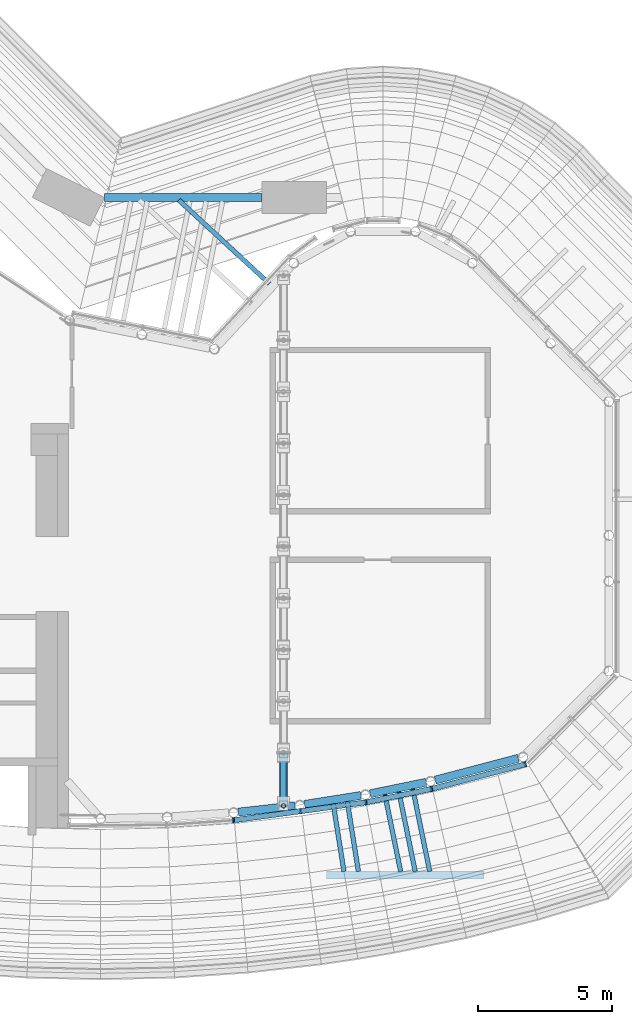
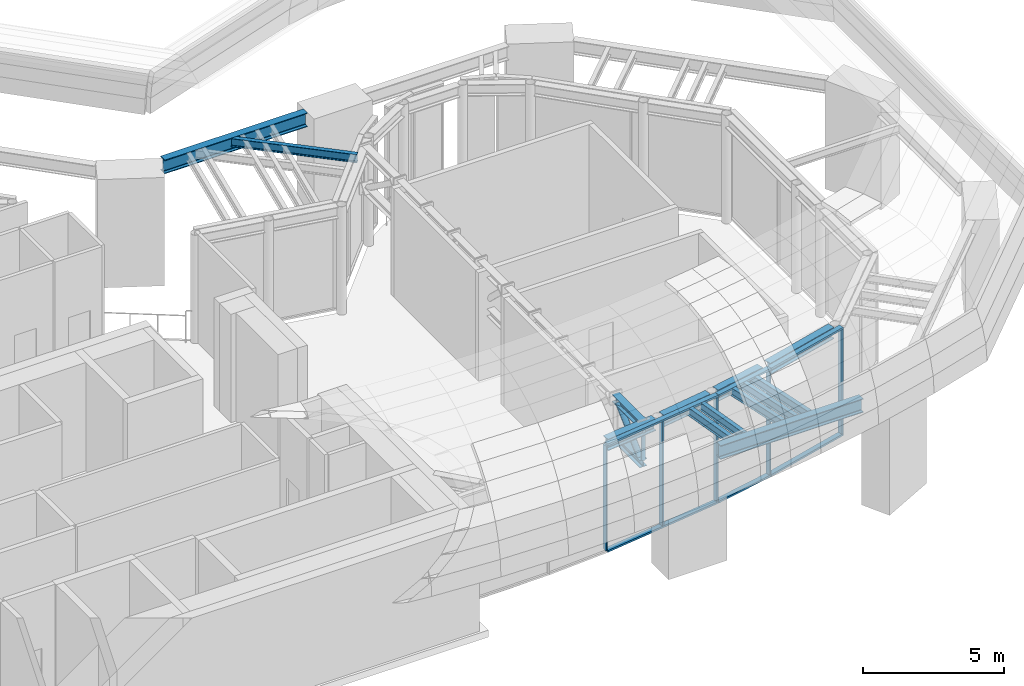
# One storey, part 4 of 20: 15 members, 12 beams, 4 elements without a shape of their own.
"""IFC4 building model written with IfcOpenShell, lengths in metres."""

from ifc_helpers import new_model, si_unit, direction, frame, origin, origin_2d, place, context, subcontext, project, spatial, rectangle, hollow_circle, i_section, extrude, material, material_profile, profile_set, type_object, element, aggregate, save


model = new_model("IFC4")

# Units and contexts
model_context = context("Model", 3, precision=1e-05, world=origin(), true_north=direction((0.0, 1.0)))
body_context = subcontext(model_context, "Body", "Model", "MODEL_VIEW")
ifc_project = project(units=[si_unit("LENGTHUNIT", "METRE"), si_unit("AREAUNIT", "SQUARE_METRE"), si_unit("VOLUMEUNIT", "CUBIC_METRE"), si_unit("PLANEANGLEUNIT", "RADIAN"), si_unit("MASSUNIT", "GRAM", prefix="KILO")], contexts=[model_context])

# Site, building, storey
site_placement = place(None, origin())
site = spatial("IfcSite", under=ifc_project, at=site_placement, CompositionType="ELEMENT")
building_placement = place(site_placement, origin())
building = spatial("IfcBuilding", under=site, at=building_placement, Name="Brevane Broadcast Tower", CompositionType="ELEMENT")
storey_placement = place(building_placement, frame((0.0, 0.0, 264.199951171875)))
storey = spatial("IfcBuildingStorey", under=building, at=storey_placement, Name="L66", CompositionType="ELEMENT", Elevation=264.199951171875)

# Curtain wall, member
ifc_material_1 = material(Name="Aluminium 6063-T6 bronze anodised", Category="aluminium")
curtain_wall_type = type_object("IfcCurtainWallType", Name="CW-5 curtain wall", PredefinedType="NOTDEFINED", material=ifc_material_1)
curtain_wall_1_placement = place(storey_placement, origin())
curtain_wall_1 = element("IfcCurtainWall", 1, at=curtain_wall_1_placement, inside=storey, type_object=curtain_wall_type, Name="CW-5 gallery glazing 2", PredefinedType="NOTDEFINED")
ifc_material_profile_1 = material_profile(ifc_material_1, rectangle(XDim=0.199951171875, YDim=0.06005859375, at=origin_2d()), Name="RECT 60x200")
ifc_profile_set_1 = profile_set([ifc_material_profile_1], Name="Aluminium 6063-T6 bronze anodised")
member_type_1 = type_object("IfcMemberType", Name="CW-5 hall mullion 60x200", PredefinedType="MULLION", material=ifc_profile_set_1)
member_1_placement = place(storey_placement, frame((31.3369140625, 2.041748046875, 0.080078125), z_axis=(0.0, 0.0, 1.0), x_axis=(-0.067413166345, 0.997725145019, 0.0)))
member_1 = element("IfcMember", 2, at=member_1_placement, type_object=member_type_1, Name="CW-5 gallery glazing mullion", PredefinedType="MULLION", context=body_context, shape_type="SweptSolid", body=[
    extrude(rectangle(XDim=0.199951171875, YDim=0.06005859375, at=origin_2d()), origin(), (0.0, 0.0, 1.0), 4.5400390625),
])
aggregate(curtain_wall_1, [member_1])

# Curtain wall, members
curtain_wall_2_placement = place(storey_placement, origin())
curtain_wall_2 = element("IfcCurtainWall", 3, at=curtain_wall_2_placement, inside=storey, type_object=curtain_wall_type, Name="CW-5 gallery glazing 3", PredefinedType="NOTDEFINED")
member_2_placement = place(storey_placement, frame((33.83349609375, 2.37841796875, 0.080078125), z_axis=(0.0, 0.0, 1.0), x_axis=(-0.134519745853, 0.990910913239, 0.0)))
member_2 = element("IfcMember", 4, at=member_2_placement, type_object=member_type_1, Name="CW-5 gallery glazing mullion", PredefinedType="MULLION", context=body_context, shape_type="SweptSolid", body=[
    extrude(rectangle(XDim=0.199951171875, YDim=0.06005859375, at=origin_2d()), origin(), (0.0, 0.0, 1.0), 4.5400390625),
])
member_3_placement = place(storey_placement, frame((36.263671875, 2.708251953125, 0.080078125), z_axis=(0.0, 0.0, 1.0), x_axis=(-0.134519745853, 0.990910913239, 0.0)))
member_3 = element("IfcMember", 5, at=member_3_placement, type_object=member_type_1, Name="CW-5 gallery glazing mullion", PredefinedType="MULLION", context=body_context, shape_type="SweptSolid", body=[
    extrude(rectangle(XDim=0.199951171875, YDim=0.06005859375, at=origin_2d()), origin(), (0.0, 0.0, 1.0), 4.5400390625),
])

# Curtain wall, member
curtain_wall_3_placement = place(storey_placement, origin())
curtain_wall_3 = element("IfcCurtainWall", 6, at=curtain_wall_3_placement, inside=storey, type_object=curtain_wall_type, Name="CW-5 gallery glazing 4", PredefinedType="NOTDEFINED")
member_4_placement = place(storey_placement, frame((38.703125, 3.20654296875, 0.080078125), z_axis=(0.0, 0.0, 1.0), x_axis=(-0.201014334459, 0.979588299921, 0.0)))
member_4 = element("IfcMember", 7, at=member_4_placement, type_object=member_type_1, Name="CW-5 gallery glazing mullion", PredefinedType="MULLION", context=body_context, shape_type="SweptSolid", body=[
    extrude(rectangle(XDim=0.199951171875, YDim=0.06005859375, at=origin_2d()), origin(), (0.0, 0.0, 1.0), 4.5400390625),
])

curtain_wall_4_placement = place(storey_placement, origin())
curtain_wall_4 = element("IfcCurtainWall", 8, at=curtain_wall_4_placement, inside=storey, type_object=curtain_wall_type, Name="CW-5 gallery glazing 5", PredefinedType="NOTDEFINED")
member_5_placement = place(storey_placement, frame((42.1962890625, 4.1259765625, 0.080078125), z_axis=(0.0, 0.0, 1.0), x_axis=(-0.25503071782, 0.966932951641, 0.0)))
member_5 = element("IfcMember", 9, at=member_5_placement, type_object=member_type_1, Name="CW-5 gallery glazing mullion", PredefinedType="MULLION", context=body_context, shape_type="SweptSolid", body=[
    extrude(rectangle(XDim=0.199951171875, YDim=0.06005859375, at=origin_2d()), origin(), (0.0, 0.0, 1.0), 4.5400390625),
])

# Member
ifc_material_profile_2 = material_profile(ifc_material_1, rectangle(XDim=0.199951171875, YDim=0.080078125, at=origin_2d()), Name="RECT 80x200")
ifc_profile_set_2 = profile_set([ifc_material_profile_2], Name="Aluminium 6063-T6 bronze anodised")
member_type_2 = type_object("IfcMemberType", Name="CW-5 hall transom 80x200", PredefinedType="USERDEFINED", material=ifc_profile_set_2)
member_6_placement = place(storey_placement, frame((31.37353515625, 2.04443359375, 0.0400390625), z_axis=(0.990908992662, 0.134533892612, 0.0), x_axis=(-0.134533892612, 0.990908992662, 0.0)))
member_6 = element("IfcMember", 10, at=member_6_placement, type_object=member_type_2, Name="CW-5 gallery glazing transom", ObjectType="TRANSOM", PredefinedType="USERDEFINED", context=body_context, shape_type="SweptSolid", body=[
    extrude(rectangle(XDim=0.199951171875, YDim=0.080078125, at=origin_2d()), origin(), (0.0, 0.0, 1.0), 4.965087890625),
])

member_7_placement = place(storey_placement, frame((31.37353515625, 2.04443359375, 4.66015625), z_axis=(0.990908992662, 0.134533892612, 0.0), x_axis=(-0.134533892612, 0.990908992662, 0.0)))
member_7 = element("IfcMember", 11, at=member_7_placement, type_object=member_type_2, Name="CW-5 gallery glazing transom", ObjectType="TRANSOM", PredefinedType="USERDEFINED", context=body_context, shape_type="SweptSolid", body=[
    extrude(rectangle(XDim=0.199951171875, YDim=0.080078125, at=origin_2d()), origin(), (0.0, 0.0, 1.0), 4.965087890625),
])

aggregate(curtain_wall_2, [member_2, member_3, member_6, member_7])

member_8_placement = place(storey_placement, frame((36.300048828125, 2.713623046875, 0.0400390625), z_axis=(0.979596744973, 0.200973175421, 0.0), x_axis=(-0.200973175421, 0.979596744973, 0.0)))
member_8 = element("IfcMember", 12, at=member_8_placement, type_object=member_type_2, Name="CW-5 gallery glazing transom", ObjectType="TRANSOM", PredefinedType="USERDEFINED", context=body_context, shape_type="SweptSolid", body=[
    extrude(rectangle(XDim=0.199951171875, YDim=0.080078125, at=origin_2d()), origin(), (0.0, 0.0, 1.0), 2.483154296875),
])

member_9_placement = place(storey_placement, frame((36.300048828125, 2.713623046875, 4.66015625), z_axis=(0.979596744973, 0.200973175421, 0.0), x_axis=(-0.200973175421, 0.979596744973, 0.0)))
member_9 = element("IfcMember", 13, at=member_9_placement, type_object=member_type_2, Name="CW-5 gallery glazing transom", ObjectType="TRANSOM", PredefinedType="USERDEFINED", context=body_context, shape_type="SweptSolid", body=[
    extrude(rectangle(XDim=0.199951171875, YDim=0.080078125, at=origin_2d()), origin(), (0.0, 0.0, 1.0), 2.483154296875),
])

aggregate(curtain_wall_3, [member_4, member_8, member_9])

member_10_placement = place(storey_placement, frame((38.73779296875, 3.2138671875, 0.0400390625), z_axis=(0.966927952934, 0.255049669349, 0.0), x_axis=(-0.255049669349, 0.966927952934, 0.0)))
member_10 = element("IfcMember", 14, at=member_10_placement, type_object=member_type_2, Name="CW-5 gallery glazing transom", ObjectType="TRANSOM", PredefinedType="USERDEFINED", context=body_context, shape_type="SweptSolid", body=[
    extrude(rectangle(XDim=0.199951171875, YDim=0.080078125, at=origin_2d()), origin(), (0.0, 0.0, 1.0), 3.60693359375),
])

member_11_placement = place(storey_placement, frame((38.73779296875, 3.2138671875, 4.66015625), z_axis=(0.966927952934, 0.255049669349, 0.0), x_axis=(-0.255049669349, 0.966927952934, 0.0)))
member_11 = element("IfcMember", 15, at=member_11_placement, type_object=member_type_2, Name="CW-5 gallery glazing transom", ObjectType="TRANSOM", PredefinedType="USERDEFINED", context=body_context, shape_type="SweptSolid", body=[
    extrude(rectangle(XDim=0.199951171875, YDim=0.080078125, at=origin_2d()), origin(), (0.0, 0.0, 1.0), 3.60693359375),
])

aggregate(curtain_wall_4, [member_5, member_10, member_11])

# Beams
ifc_material_2 = material(Name="Steel S355", Category="steel")
ifc_material_profile_3 = material_profile(ifc_material_2, i_section(OverallWidth=0.169921875, OverallDepth=0.360107421875, WebThickness=0.008056640625, FlangeThickness=0.0126953125, FilletRadius=0.01806640625, at=origin_2d()), Name="IPE 360")
ifc_profile_set_3 = profile_set([ifc_material_profile_3], Name="Steel S355")
beam_type_1 = type_object("IfcBeamType", Name="STEEL CANOPY RAFTER IPE 360 S355", PredefinedType="BEAM", material=ifc_profile_set_3)
beam_1_placement = place(storey_placement, frame((32.6796875, 21.988525390625, 4.52001953125), z_axis=(-0.734785109381, 0.678299965378, 0.0), x_axis=(-0.678299965378, -0.734785109381, 0.0)))
element("IfcBeam", 16, at=beam_1_placement, inside=storey, type_object=beam_type_1, Name="SB2 16", PredefinedType="BEAM", context=body_context, shape_type="SweptSolid", body=[
    extrude(i_section(OverallWidth=0.169921875, OverallDepth=0.360107421875, WebThickness=0.008056640625, FlangeThickness=0.0126953125, FilletRadius=0.01806640625, at=origin_2d()), origin(), (0.0, 0.0, 1.0), 4.594482421875),
])
beam_2_placement = place(storey_placement, frame((38.007080078125, 3.206787109375, 4.52001953125), z_axis=(0.201013158084, -0.979588541316, 0.0), x_axis=(0.979588541316, 0.201013158084, 0.0)))
element("IfcBeam", 17, at=beam_2_placement, inside=storey, type_object=beam_type_1, Name="SB2 28", PredefinedType="BEAM", context=body_context, shape_type="SweptSolid", body=[
    extrude(i_section(OverallWidth=0.169921875, OverallDepth=0.360107421875, WebThickness=0.008056640625, FlangeThickness=0.0126953125, FilletRadius=0.01806640625, at=origin_2d()), origin(), (0.0, 0.0, 1.0), 3.133544921875),
])
beam_3_placement = place(storey_placement, frame((37.488037109375, 3.100341796875, 4.52001953125), z_axis=(0.201049396961, -0.979581104341, 0.0), x_axis=(0.979581104341, 0.201049396961, 0.0)))
element("IfcBeam", 18, at=beam_3_placement, inside=storey, type_object=beam_type_1, Name="SB2 29", PredefinedType="BEAM", context=body_context, shape_type="SweptSolid", body=[
    extrude(i_section(OverallWidth=0.169921875, OverallDepth=0.360107421875, WebThickness=0.008056640625, FlangeThickness=0.0126953125, FilletRadius=0.01806640625, at=origin_2d()), origin(), (0.0, 0.0, 1.0), 3.02490234375),
])
beam_4_placement = place(storey_placement, frame((36.968994140625, 2.99365234375, 4.52001953125), z_axis=(0.201024487656, -0.979586216401, 0.0), x_axis=(0.979586216401, 0.201024487656, 0.0)))
element("IfcBeam", 19, at=beam_4_placement, inside=storey, type_object=beam_type_1, Name="SB2 30", PredefinedType="BEAM", context=body_context, shape_type="SweptSolid", body=[
    extrude(i_section(OverallWidth=0.169921875, OverallDepth=0.360107421875, WebThickness=0.008056640625, FlangeThickness=0.0126953125, FilletRadius=0.01806640625, at=origin_2d()), origin(), (0.0, 0.0, 1.0), 2.916015625),
])
beam_5_placement = place(storey_placement, frame((35.57080078125, 2.739501953125, 4.52001953125), z_axis=(0.156743146574, -0.987639400795, 0.0), x_axis=(0.987639400795, 0.156743146574, 0.0)))
element("IfcBeam", 20, at=beam_5_placement, inside=storey, type_object=beam_type_1, Name="SB2 31", PredefinedType="BEAM", context=body_context, shape_type="SweptSolid", body=[
    extrude(i_section(OverallWidth=0.169921875, OverallDepth=0.360107421875, WebThickness=0.008056640625, FlangeThickness=0.0126953125, FilletRadius=0.01806640625, at=origin_2d()), origin(), (0.0, 0.0, 1.0), 2.6337890625),
])
beam_6_placement = place(storey_placement, frame((35.04736328125, 2.65625, 4.52001953125), z_axis=(0.156754200806, -0.987637646371, 0.0), x_axis=(0.987637646371, 0.156754200806, 0.0)))
element("IfcBeam", 21, at=beam_6_placement, inside=storey, type_object=beam_type_1, Name="SB2 32", PredefinedType="BEAM", context=body_context, shape_type="SweptSolid", body=[
    extrude(i_section(OverallWidth=0.169921875, OverallDepth=0.360107421875, WebThickness=0.008056640625, FlangeThickness=0.0126953125, FilletRadius=0.01806640625, at=origin_2d()), origin(), (0.0, 0.0, 1.0), 2.549560546875),
])
ifc_material_profile_4 = material_profile(ifc_material_2, i_section(OverallWidth=0.300048828125, OverallDepth=0.60009765625, WebThickness=0.015380859375, FlangeThickness=0.030029296875, FilletRadius=0.027099609375, at=origin_2d()), Name="HE 600 B")
ifc_profile_set_4 = profile_set([ifc_material_profile_4], Name="Steel S355")
beam_type_2 = type_object("IfcBeamType", Name="STEEL CANOPY RING BEAM HE 600 B S355", PredefinedType="BEAM", material=ifc_profile_set_4)
beam_7_placement = place(storey_placement, frame((34.800048828125, 0.0, 4.400146484375), z_axis=(1.0, 0.0, 0.0), x_axis=(0.0, 1.0, 0.0)))
element("IfcBeam", 22, at=beam_7_placement, inside=storey, type_object=beam_type_2, Name="SB1 1", PredefinedType="BEAM", context=body_context, shape_type="SweptSolid", body=[
    extrude(i_section(OverallWidth=0.300048828125, OverallDepth=0.60009765625, WebThickness=0.015380859375, FlangeThickness=0.030029296875, FilletRadius=0.027099609375, at=origin_2d()), origin(), (0.0, 0.0, 1.0), 5.8583984375),
])
beam_8_placement = place(storey_placement, frame((32.39990234375, 25.199951171875, 4.400146484375), z_axis=(-1.0, 0.0, 0.0), x_axis=(0.0, -1.0, 0.0)))
element("IfcBeam", 23, at=beam_8_placement, inside=storey, type_object=beam_type_2, Name="SB1 6", PredefinedType="BEAM", context=body_context, shape_type="SweptSolid", body=[
    extrude(i_section(OverallWidth=0.300048828125, OverallDepth=0.60009765625, WebThickness=0.015380859375, FlangeThickness=0.030029296875, FilletRadius=0.027099609375, at=origin_2d()), origin(), (0.0, 0.0, 1.0), 5.858154296875),
])
ifc_material_profile_5 = material_profile(ifc_material_2, i_section(OverallWidth=0.300048828125, OverallDepth=0.5, WebThickness=0.014404296875, FlangeThickness=0.028076171875, FilletRadius=0.027099609375, at=origin_2d()), Name="HE 500 B")
ifc_profile_set_5 = profile_set([ifc_material_profile_5], Name="Steel S355")
beam_type_3 = type_object("IfcBeamType", Name="STEEL ENCLOSURE RING BEAM HE 500 B S355", PredefinedType="BEAM", material=ifc_profile_set_5)
beam_9_placement = place(storey_placement, frame((41.93359375, 4.34521484375, 4.449951171875), z_axis=(-0.967004224353, -0.254760338522, 0.0), x_axis=(0.254760338522, -0.967004224353, 0.0)))
element("IfcBeam", 24, at=beam_9_placement, inside=storey, type_object=beam_type_3, Name="SB3 E19", PredefinedType="BEAM", context=body_context, shape_type="SweptSolid", body=[
    extrude(i_section(OverallWidth=0.300048828125, OverallDepth=0.5, WebThickness=0.014404296875, FlangeThickness=0.028076171875, FilletRadius=0.027099609375, at=origin_2d()), origin(), (0.0, 0.0, 1.0), 3.195068359375),
])
beam_10_placement = place(storey_placement, frame((38.498046875, 3.450439453125, 4.449951171875), z_axis=(-0.979589326073, -0.201009333725, 0.0), x_axis=(0.201009333725, -0.979589326073, 0.0)))
element("IfcBeam", 25, at=beam_10_placement, inside=storey, type_object=beam_type_3, Name="SB3 E20", PredefinedType="BEAM", context=body_context, shape_type="SweptSolid", body=[
    extrude(i_section(OverallWidth=0.300048828125, OverallDepth=0.5, WebThickness=0.014404296875, FlangeThickness=0.028076171875, FilletRadius=0.027099609375, at=origin_2d()), origin(), (0.0, 0.0, 1.0), 2.119384765625),
])
for number, where, z_axis, x_axis, name in (
    (26, (36.072265625, 2.960693359375, 4.449951171875), (-0.987637509793, -0.156755061321, 0.0), (0.156755061321, -0.987637509793, 0.0), "SB3 E21"),
    (27, (33.626708984375, 2.58056640625, 4.449951171875), (-0.993686931351, -0.112188602195, 0.0), (0.112188602195, -0.993686931351, 0.0), "SB3 E22"),
):
    element("IfcBeam", number, at=place(storey_placement, frame(where, z_axis=z_axis, x_axis=x_axis)), inside=storey, type_object=beam_type_3, Name=name, PredefinedType="BEAM", context=body_context, shape_type="SweptSolid", body=[
        extrude(i_section(OverallWidth=0.300048828125, OverallDepth=0.5, WebThickness=0.014404296875, FlangeThickness=0.028076171875, FilletRadius=0.027099609375, at=origin_2d()), origin(), (0.0, 0.0, 1.0), 2.11962890625),
    ])

# Members
ifc_material_profile_6 = material_profile(ifc_material_2, i_section(OverallWidth=0.300048828125, OverallDepth=0.320068359375, WebThickness=0.011474609375, FlangeThickness=0.0205078125, FilletRadius=0.027099609375, at=origin_2d()), Name="HE 320 B")
ifc_profile_set_6 = profile_set([ifc_material_profile_6], Name="Steel S355")
member_type_3 = type_object("IfcMemberType", Name="STEEL ROOF TRUSS CHORD HE 320 B S355", PredefinedType="CHORD", material=ifc_profile_set_6)
for number, where, z_axis, x_axis, name in (
    (28, (33.199951171875, 2.57568359375, 4.5400390625), (0.0, 1.0, 0.0), (-1.0, 0.0, 0.0), "TC4 3T1"),
    (29, (33.199951171875, 2.57568359375, 2.860107421875), (0.0, 1.0, 0.0), (-1.0, 0.0, 0.0), "TC4 3B1"),
):
    element("IfcMember", number, at=place(storey_placement, frame(where, z_axis=z_axis, x_axis=x_axis)), inside=storey, type_object=member_type_3, Name=name, PredefinedType="CHORD", context=body_context, shape_type="SweptSolid", body=[
        extrude(i_section(OverallWidth=0.300048828125, OverallDepth=0.320068359375, WebThickness=0.011474609375, FlangeThickness=0.0205078125, FilletRadius=0.027099609375, at=origin_2d()), origin(), (0.0, 0.0, 1.0), 1.971923828125),
    ])
ifc_material_profile_7 = material_profile(ifc_material_2, hollow_circle(Radius=0.122314453125, WallThickness=0.010009765625, at=origin_2d()), Name="CHS 244.5x10")
ifc_profile_set_7 = profile_set([ifc_material_profile_7], Name="Steel S355")
member_type_4 = type_object("IfcMemberType", Name="STEEL ROOF TRUSS DIAGONAL CHS 244.5x10 S355", PredefinedType="BRACE", material=ifc_profile_set_7)
member_12_placement = place(storey_placement, frame((33.199951171875, 2.77978515625, 2.97998046875), z_axis=(0.0, 0.735564682682, 0.677454498539), x_axis=(-1.0, 0.0, 0.0)))
element("IfcMember", 30, at=member_12_placement, inside=storey, type_object=member_type_4, Name="TD4 3-1", PredefinedType="BRACE", context=body_context, shape_type="SweptSolid", body=[
    extrude(hollow_circle(Radius=0.122314453125, WallThickness=0.010009765625, at=origin_2d()), origin(), (0.0, 0.0, 1.0), 2.1259765625),
])
ifc_material_profile_8 = material_profile(ifc_material_2, hollow_circle(Radius=0.084228515625, WallThickness=0.012451171875, at=origin_2d()), Name="CHS 168.3x12.5")
ifc_profile_set_8 = profile_set([ifc_material_profile_8], Name="Steel S355")
member_type_5 = type_object("IfcMemberType", Name="STEEL ROOF TRUSS POST CHS 168.3x12.5 S355", PredefinedType="STUD", material=ifc_profile_set_8)
member_13_placement = place(storey_placement, frame((33.199951171875, 2.57568359375, 3.02001953125), z_axis=(0.0, 0.0, 1.0), x_axis=(1.0, 0.0, 0.0)))
element("IfcMember", 31, at=member_13_placement, inside=storey, type_object=member_type_5, Name="TV4 3-1", PredefinedType="STUD", context=body_context, shape_type="SweptSolid", body=[
    extrude(hollow_circle(Radius=0.084228515625, WallThickness=0.012451171875, at=origin_2d()), origin(), (0.0, 0.0, 1.0), 1.360107421875),
])

save(model, "model.ifc")
